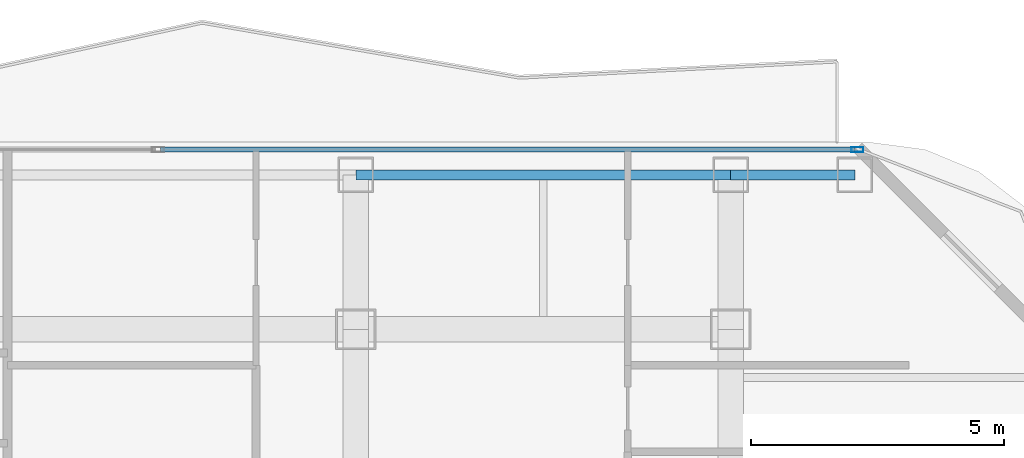
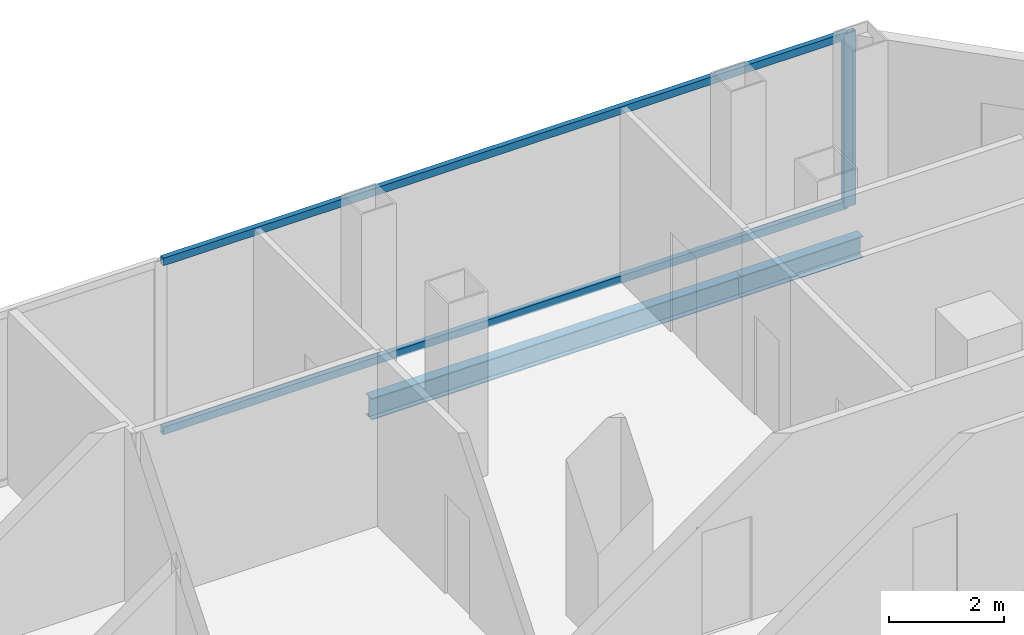
# One storey, part 17 of 27: 3 members, 2 beams, 1 element without a shape of its own.
"""IFC4 building model written with IfcOpenShell, lengths in metres."""

from ifc_helpers import new_model, si_unit, direction, frame, origin, origin_2d, place, context, subcontext, project, spatial, hollow_rectangle, i_section, extrude, material, layer, layer_set, material_profile, profile_set, type_object, element, aggregate, save


model = new_model("IFC4")

# Units and contexts
model_context = context("Model", 3, precision=1e-05, world=origin(), true_north=direction((0.0, 1.0)))
body_context = subcontext(model_context, "Body", "Model", "MODEL_VIEW")
ifc_project = project(units=[si_unit("LENGTHUNIT", "METRE"), si_unit("AREAUNIT", "SQUARE_METRE"), si_unit("VOLUMEUNIT", "CUBIC_METRE"), si_unit("PLANEANGLEUNIT", "RADIAN"), si_unit("MASSUNIT", "GRAM", prefix="KILO")], contexts=[model_context])

# Site, building, storey
site_placement = place(None, origin())
site = spatial("IfcSite", under=ifc_project, at=site_placement, CompositionType="ELEMENT")
building_placement = place(site_placement, origin())
building = spatial("IfcBuilding", under=site, at=building_placement, Name="Khorvyn Point Tower", CompositionType="ELEMENT")
storey_placement = place(building_placement, frame((0.0, 0.0, 168.0)))
storey = spatial("IfcBuildingStorey", under=building, at=storey_placement, Name="L41", CompositionType="ELEMENT", Elevation=168.0)

# Curtain wall, members
ifc_material_1 = material(Name="Anodised aluminium 6063-T6 and laminated Low-E glass", Category="aluminium")
ifc_layer = layer(ifc_material_1, 0.18994140625)
ifc_layer_set = layer_set([ifc_layer], Name="Stick-Built Acoustic Curtain Wall CW-SYS-03")
curtain_wall_type = type_object("IfcCurtainWallType", Name="Stick-Built Acoustic Curtain Wall CW-SYS-03", PredefinedType="NOTDEFINED", material=ifc_layer_set)
curtain_wall_placement = place(storey_placement, origin())
curtain_wall = element("IfcCurtainWall", 1, at=curtain_wall_placement, inside=storey, type_object=curtain_wall_type, Name="Curtain Wall", PredefinedType="NOTDEFINED")
ifc_material_2 = material(Name="Anodised aluminium 6063-T6", Category="aluminium")
ifc_material_profile_1 = material_profile(ifc_material_2, hollow_rectangle(XDim=0.10009765625, YDim=0.239990234375, WallThickness=0.0048828125, at=origin_2d()))
ifc_profile_set_1 = profile_set([ifc_material_profile_1], Name="Anodised aluminium 6063-T6 ALU-MUL-100x240")
member_type_1 = type_object("IfcMemberType", Name="Anodised Aluminium 6063-T6 Mullion ALU-MUL-100x240", PredefinedType="MULLION", material=ifc_profile_set_1)
member_1_placement = place(storey_placement, frame((17.300048828125, 23.64990234375, 0.0), z_axis=(0.0, 0.0, 1.0), x_axis=(0.0, 1.0, 0.0)))
member_1 = element("IfcMember", 2, at=member_1_placement, type_object=member_type_1, Name="Transom", PredefinedType="MULLION", context=body_context, shape_type="SweptSolid", body=[
    extrude(hollow_rectangle(XDim=0.10009765625, YDim=0.239990234375, WallThickness=0.0048828125, at=origin_2d()), origin(), (0.0, 0.0, 1.0), 3.679931640625),
])
ifc_material_profile_2 = material_profile(ifc_material_2, hollow_rectangle(XDim=0.10009765625, YDim=0.159912109375, WallThickness=0.00439453125, at=origin_2d()))
ifc_profile_set_2 = profile_set([ifc_material_profile_2], Name="Anodised aluminium 6063-T6 ALU-TRN-100x160")
member_type_2 = type_object("IfcMemberType", Name="Anodised Aluminium 6063-T6 Transom ALU-TRN-100x160", PredefinedType="USERDEFINED", material=ifc_profile_set_2)
member_2_placement = place(storey_placement, frame((3.54638671875, 23.64990234375, 0.050048828125), z_axis=(1.0, 0.0, 0.0), x_axis=(0.0, 1.0, 0.0)))
member_2 = element("IfcMember", 3, at=member_2_placement, type_object=member_type_2, Name="Transom", ObjectType="TRANSOM", PredefinedType="USERDEFINED", context=body_context, shape_type="SweptSolid", body=[
    extrude(hollow_rectangle(XDim=0.10009765625, YDim=0.159912109375, WallThickness=0.00439453125, at=origin_2d()), origin(), (0.0, 0.0, 1.0), 13.70361328125),
])
member_3_placement = place(storey_placement, frame((3.54638671875, 23.64990234375, 3.6298828125), z_axis=(1.0, 0.0, 0.0), x_axis=(0.0, 1.0, 0.0)))
member_3 = element("IfcMember", 4, at=member_3_placement, type_object=member_type_2, Name="Transom", ObjectType="TRANSOM", PredefinedType="USERDEFINED", context=body_context, shape_type="SweptSolid", body=[
    extrude(hollow_rectangle(XDim=0.10009765625, YDim=0.159912109375, WallThickness=0.00439453125, at=origin_2d()), origin(), (0.0, 0.0, 1.0), 13.70361328125),
])
aggregate(curtain_wall, [member_1, member_2, member_3])

# Beams
ifc_material_3 = material(Name="Steel S355", Category="steel")
ifc_material_profile_3 = material_profile(ifc_material_3, i_section(OverallWidth=0.199951171875, OverallDepth=0.449951171875, WebThickness=0.009033203125, FlangeThickness=0.013916015625, at=origin_2d()))
ifc_profile_set_3 = profile_set([ifc_material_profile_3], Name="Steel S355 H450x200x9x14")
beam_type = type_object("IfcBeamType", Name="Steel S355 Spandrel H450x200x9x14", PredefinedType="SPANDREL", material=ifc_profile_set_3)
beam_1_placement = place(storey_placement, frame((7.39990234375, 23.14990234375, -0.5048828125), z_axis=(1.0, 0.0, 0.0), x_axis=(0.0, 1.0, 0.0)))
element("IfcBeam", 5, at=beam_1_placement, inside=storey, type_object=beam_type, Name="Beam", PredefinedType="SPANDREL", context=body_context, shape_type="SweptSolid", body=[
    extrude(i_section(OverallWidth=0.199951171875, OverallDepth=0.449951171875, WebThickness=0.009033203125, FlangeThickness=0.013916015625, at=origin_2d()), origin(), (0.0, 0.0, 1.0), 7.400146484375),
])
beam_2_placement = place(storey_placement, frame((14.800048828125, 23.14990234375, -0.5048828125), z_axis=(1.0, 0.0, 0.0), x_axis=(0.0, 1.0, 0.0)))
element("IfcBeam", 6, at=beam_2_placement, inside=storey, type_object=beam_type, Name="Beam", PredefinedType="SPANDREL", context=body_context, shape_type="SweptSolid", body=[
    extrude(i_section(OverallWidth=0.199951171875, OverallDepth=0.449951171875, WebThickness=0.009033203125, FlangeThickness=0.013916015625, at=origin_2d()), origin(), (0.0, 0.0, 1.0), 2.449951171875),
])

save(model, "model.ifc")
